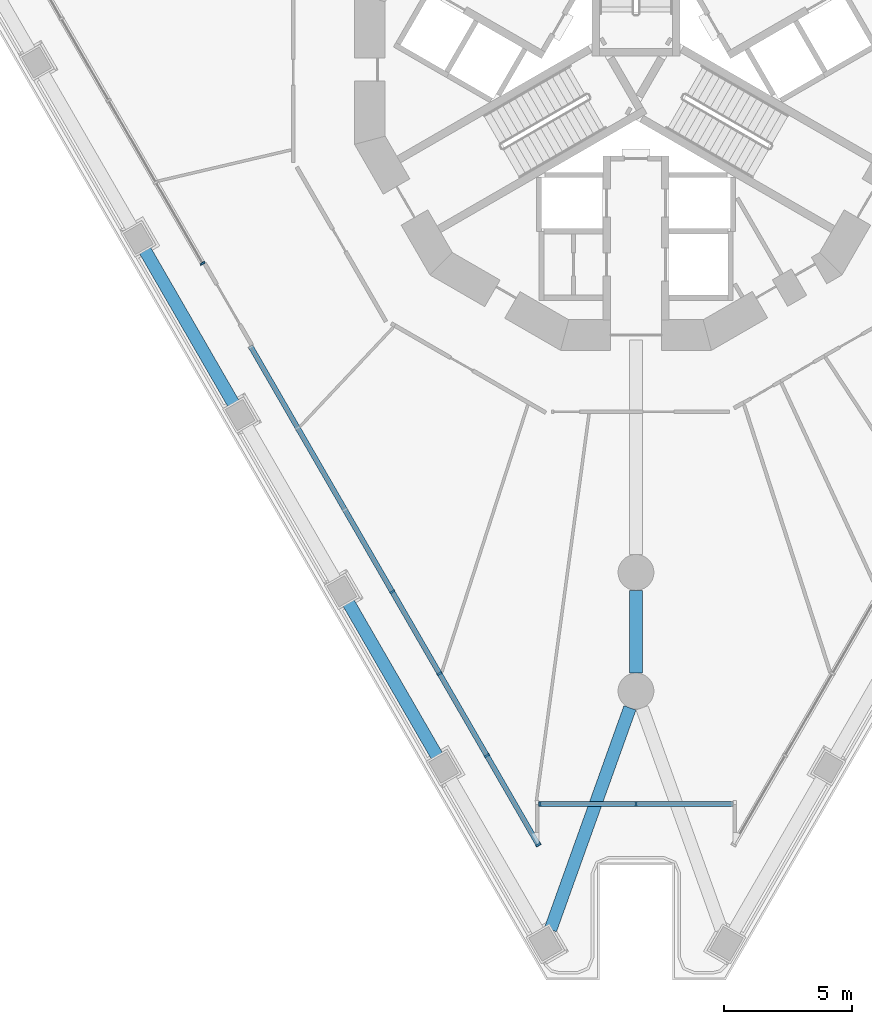
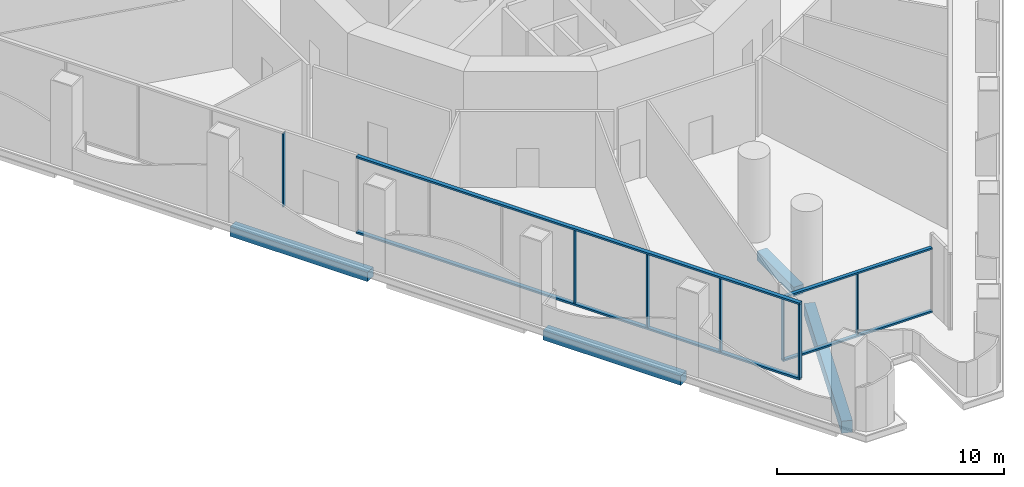
# One storey, part 2 of 21: 11 members, 4 beams, 3 elements without a shape of their own.
"""IFC4 building model written with IfcOpenShell, lengths in metres."""

from ifc_helpers import new_model, si_unit, direction, frame, origin, origin_2d, place, context, subcontext, project, spatial, rectangle, extrude, material, layer, layer_set, material_profile, profile_set, type_object, element, aggregate, save


model = new_model("IFC4")

# Units and contexts
model_context = context("Model", 3, precision=1e-05, world=origin(), true_north=direction((0.0, 1.0)))
body_context = subcontext(model_context, "Body", "Model", "MODEL_VIEW")
ifc_project = project(units=[si_unit("LENGTHUNIT", "METRE"), si_unit("AREAUNIT", "SQUARE_METRE"), si_unit("VOLUMEUNIT", "CUBIC_METRE"), si_unit("PLANEANGLEUNIT", "RADIAN"), si_unit("MASSUNIT", "GRAM", prefix="KILO")], contexts=[model_context])

# Site, building, storey
site_placement = place(None, origin())
site = spatial("IfcSite", under=ifc_project, at=site_placement, CompositionType="ELEMENT")
building_placement = place(site_placement, origin())
building = spatial("IfcBuilding", under=site, at=building_placement, Name="Trine Commons Tower", CompositionType="ELEMENT")
storey_placement = place(building_placement, frame((0.0, 0.0, 9.0)))
storey = spatial("IfcBuildingStorey", under=building, at=storey_placement, Name="L01", CompositionType="ELEMENT", Elevation=9.0)

# Curtain wall, members
ifc_material_1 = material(Name="Corner pocket glazing: anodised aluminium frame with low-emissivity double glazed unit, laminated", Category="aluminium")
ifc_layer_1 = layer(ifc_material_1, 0.179931640625)
ifc_layer_set_1 = layer_set([ifc_layer_1], Name="Corner pocket glazing: anodised aluminium frame with low-emissivity double glazed unit, laminated")
curtain_wall_type_1 = type_object("IfcCurtainWallType", Name="Corner pocket glazing curtain wall CW8", PredefinedType="NOTDEFINED", material=ifc_layer_set_1)
curtain_wall_1_placement = place(storey_placement, origin())
curtain_wall_1 = element("IfcCurtainWall", 1, at=curtain_wall_1_placement, inside=storey, type_object=curtain_wall_type_1, Name="Corner pocket glazing L01 P3.1", PredefinedType="NOTDEFINED")
ifc_material_2 = material(Name="Anodised aluminium, bronze finish", Category="aluminium")
ifc_material_profile_1 = material_profile(ifc_material_2, rectangle(XDim=0.179931640625, YDim=0.06494140625, at=origin_2d()), Name="Mullion 65x180")
ifc_profile_set_1 = profile_set([ifc_material_profile_1], Name="Anodised aluminium, bronze finish")
member_type_1 = type_object("IfcMemberType", Name="Mullion 65x180, Anodised aluminium, bronze finish", PredefinedType="MULLION", material=ifc_profile_set_1)
member_1_placement = place(storey_placement, frame((80.0, 33.74072265625, 0.090087890625), z_axis=(0.0, 0.0, 1.0), x_axis=(0.0, -1.0, 0.0)))
member_1 = element("IfcMember", 2, at=member_1_placement, type_object=member_type_1, Name="CW8 mullion 2.1", PredefinedType="MULLION", context=body_context, shape_type="SweptSolid", body=[
    extrude(rectangle(XDim=0.179931640625, YDim=0.06494140625, at=origin_2d()), origin(), (0.0, 0.0, 1.0), 3.2998046875),
])
member_2_placement = place(storey_placement, frame((76.232421875, 33.74072265625, 0.090087890625), z_axis=(0.0, 0.0, 1.0), x_axis=(0.0, -1.0, 0.0)))
member_2 = element("IfcMember", 3, at=member_2_placement, type_object=member_type_1, Name="CW8 mullion 3.1", PredefinedType="MULLION", context=body_context, shape_type="SweptSolid", body=[
    extrude(rectangle(XDim=0.179931640625, YDim=0.06494140625, at=origin_2d()), origin(), (0.0, 0.0, 1.0), 3.2998046875),
])

ifc_material_3 = material(Name="Podium glazing: anodised aluminium frame with low-emissivity double glazed unit", Category="aluminium")
ifc_layer_2 = layer(ifc_material_3, 0.199951171875)
ifc_layer_set_2 = layer_set([ifc_layer_2], Name="Podium glazing: anodised aluminium frame with low-emissivity double glazed unit")
curtain_wall_type_2 = type_object("IfcCurtainWallType", Name="Podium glazing curtain wall CW3", PredefinedType="NOTDEFINED", material=ifc_layer_set_2)
curtain_wall_2_placement = place(storey_placement, origin())
curtain_wall_2 = element("IfcCurtainWall", 4, at=curtain_wall_2_placement, inside=storey, type_object=curtain_wall_type_2, Name="Podium glazing L01 F3.1", PredefinedType="NOTDEFINED")
ifc_material_profile_2 = material_profile(ifc_material_2, rectangle(XDim=0.199951171875, YDim=0.074951171875, at=origin_2d()), Name="Mullion 75x200")
ifc_profile_set_2 = profile_set([ifc_material_profile_2], Name="Anodised aluminium, bronze finish")
member_type_2 = type_object("IfcMemberType", Name="Mullion 75x200, Anodised aluminium, bronze finish", PredefinedType="MULLION", material=ifc_profile_set_2)
member_3_placement = place(storey_placement, frame((76.18115234375, 32.14501953125, 0.10009765625), z_axis=(0.0, 0.0, 1.0), x_axis=(-0.866025403784, -0.5, 0.0)))
member_3 = element("IfcMember", 5, at=member_3_placement, type_object=member_type_2, Name="CW3 mullion 1.1", PredefinedType="MULLION", context=body_context, shape_type="SweptSolid", body=[
    extrude(rectangle(XDim=0.199951171875, YDim=0.074951171875, at=origin_2d()), origin(), (0.0, 0.0, 1.0), 3.949951171875),
])
member_4_placement = place(storey_placement, frame((74.163818359375, 35.63916015625, 0.10009765625), z_axis=(0.0, 0.0, 1.0), x_axis=(-0.866025403784, -0.5, 0.0)))
member_4 = element("IfcMember", 6, at=member_4_placement, type_object=member_type_2, Name="CW3 mullion 2.1", PredefinedType="MULLION", context=body_context, shape_type="SweptSolid", body=[
    extrude(rectangle(XDim=0.199951171875, YDim=0.074951171875, at=origin_2d()), origin(), (0.0, 0.0, 1.0), 3.949951171875),
])
member_5_placement = place(storey_placement, frame((72.314453125, 38.842529296875, 0.10009765625), z_axis=(0.0, 0.0, 1.0), x_axis=(-0.866025403784, -0.5, 0.0)))
member_5 = element("IfcMember", 7, at=member_5_placement, type_object=member_type_2, Name="CW3 mullion 3.1", PredefinedType="MULLION", context=body_context, shape_type="SweptSolid", body=[
    extrude(rectangle(XDim=0.199951171875, YDim=0.074951171875, at=origin_2d()), origin(), (0.0, 0.0, 1.0), 3.949951171875),
])
member_6_placement = place(storey_placement, frame((70.465087890625, 42.0458984375, 0.10009765625), z_axis=(0.0, 0.0, 1.0), x_axis=(-0.866025403784, -0.5, 0.0)))
member_6 = element("IfcMember", 8, at=member_6_placement, type_object=member_type_2, Name="CW3 mullion 4.1", PredefinedType="MULLION", context=body_context, shape_type="SweptSolid", body=[
    extrude(rectangle(XDim=0.199951171875, YDim=0.074951171875, at=origin_2d()), origin(), (0.0, 0.0, 1.0), 3.949951171875),
])

# Curtain wall, member
curtain_wall_3_placement = place(storey_placement, origin())
curtain_wall_3 = element("IfcCurtainWall", 9, at=curtain_wall_3_placement, inside=storey, type_object=curtain_wall_type_2, Name="Podium glazing L01 F3.2", PredefinedType="NOTDEFINED")
member_7_placement = place(storey_placement, frame((63.048583984375, 54.8916015625, 0.10009765625), z_axis=(0.0, 0.0, 1.0), x_axis=(-0.866025403784, -0.5, 0.0)))
member_7 = element("IfcMember", 10, at=member_7_placement, type_object=member_type_2, Name="CW3 mullion 1.1", PredefinedType="MULLION", context=body_context, shape_type="SweptSolid", body=[
    extrude(rectangle(XDim=0.199951171875, YDim=0.074951171875, at=origin_2d()), origin(), (0.0, 0.0, 1.0), 3.949951171875),
])
aggregate(curtain_wall_3, [member_7])

# Beams
ifc_material_4 = material(Name="Concrete C50/60", Category="concrete")
ifc_material_profile_3 = material_profile(ifc_material_4, rectangle(XDim=0.5, YDim=0.5, at=origin_2d()), Name="RC 500x500")
ifc_profile_set_3 = profile_set([ifc_material_profile_3], Name="Concrete C50/60")
beam_type_1 = type_object("IfcBeamType", Name="RC beam 500x500, C50/60", PredefinedType="BEAM", material=ifc_profile_set_3)
beam_1_placement = place(storey_placement, frame((72.236328125, 35.577880859375, -0.64990234375), z_axis=(-0.500017753321, 0.866015153657, 0.0), x_axis=(-0.866015153657, -0.500017753321, 0.0)))
element("IfcBeam", 11, at=beam_1_placement, inside=storey, type_object=beam_type_1, Name="Beam EB1-02 L01", PredefinedType="BEAM", context=body_context, shape_type="SweptSolid", body=[
    extrude(rectangle(XDim=0.5, YDim=0.5, at=origin_2d()), origin(), (0.0, 0.0, 1.0), 7.013427734375),
])
beam_2_placement = place(storey_placement, frame((64.27294921875, 49.370849609375, -0.64990234375), z_axis=(-0.499991645397, 0.866030227263, 0.0), x_axis=(-0.866030227263, -0.499991645397, 0.0)))
element("IfcBeam", 12, at=beam_2_placement, inside=storey, type_object=beam_type_1, Name="Beam EB1-04 L01", PredefinedType="BEAM", context=body_context, shape_type="SweptSolid", body=[
    extrude(rectangle(XDim=0.5, YDim=0.5, at=origin_2d()), origin(), (0.0, 0.0, 1.0), 7.01318359375),
])
beam_3_placement = place(storey_placement, frame((80.0, 42.102783203125, -0.64990234375), z_axis=(0.0, -1.0, 0.0), x_axis=(1.0, 0.0, 0.0)))
element("IfcBeam", 13, at=beam_3_placement, inside=storey, type_object=beam_type_1, Name="Beam RB1-02 L01", PredefinedType="BEAM", context=body_context, shape_type="SweptSolid", body=[
    extrude(rectangle(XDim=0.5, YDim=0.5, at=origin_2d()), origin(), (0.0, 0.0, 1.0), 3.240478515625),
])
ifc_material_profile_4 = material_profile(ifc_material_4, rectangle(XDim=0.5, YDim=0.64990234375, at=origin_2d()), Name="RC 500x650")
ifc_profile_set_4 = profile_set([ifc_material_profile_4], Name="Concrete C50/60")
beam_type_2 = type_object("IfcBeamType", Name="RC beam 500x650, C50/60", PredefinedType="BEAM", material=ifc_profile_set_4)
beam_4_placement = place(storey_placement, frame((76.654541015625, 28.8251953125, -0.72509765625), z_axis=(0.337305880684, 0.941395104542, 0.0), x_axis=(-0.941395104542, 0.337305880684, 0.0)))
element("IfcBeam", 14, at=beam_4_placement, inside=storey, type_object=beam_type_2, Name="Beam CB1-06 L01", PredefinedType="BEAM", context=body_context, shape_type="SweptSolid", body=[
    extrude(rectangle(XDim=0.5, YDim=0.64990234375, at=origin_2d()), origin(), (0.0, 0.0, 1.0), 9.218994140625),
])

# Member
ifc_material_profile_5 = material_profile(ifc_material_2, rectangle(XDim=0.199951171875, YDim=0.10009765625, at=origin_2d()), Name="Transom 100x200")
ifc_profile_set_5 = profile_set([ifc_material_profile_5], Name="Anodised aluminium, bronze finish")
member_type_3 = type_object("IfcMemberType", Name="Transom 100x200, Anodised aluminium, bronze finish", PredefinedType="USERDEFINED", material=ifc_profile_set_5)
member_8_placement = place(storey_placement, frame((76.199951171875, 32.112548828125, 0.050048828125), z_axis=(-0.499997470867, 0.866026863975, 0.0), x_axis=(-0.866026863975, -0.499997470867, 0.0)))
member_8 = element("IfcMember", 15, at=member_8_placement, type_object=member_type_3, Name="CW3 transom T00", ObjectType="TRANSOM", PredefinedType="USERDEFINED", context=body_context, shape_type="SweptSolid", body=[
    extrude(rectangle(XDim=0.199951171875, YDim=0.10009765625, at=origin_2d()), origin(), (0.0, 0.0, 1.0), 22.56640625),
])

member_9_placement = place(storey_placement, frame((76.199951171875, 32.112548828125, 4.10009765625), z_axis=(-0.499997470867, 0.866026863975, 0.0), x_axis=(-0.866026863975, -0.499997470867, 0.0)))
member_9 = element("IfcMember", 16, at=member_9_placement, type_object=member_type_3, Name="CW3 transom TH00", ObjectType="TRANSOM", PredefinedType="USERDEFINED", context=body_context, shape_type="SweptSolid", body=[
    extrude(rectangle(XDim=0.199951171875, YDim=0.10009765625, at=origin_2d()), origin(), (0.0, 0.0, 1.0), 22.56640625),
])

aggregate(curtain_wall_2, [member_8, member_9, member_3, member_4, member_5, member_6])

ifc_material_profile_6 = material_profile(ifc_material_2, rectangle(XDim=0.179931640625, YDim=0.090087890625, at=origin_2d()), Name="Transom 90x180")
ifc_profile_set_6 = profile_set([ifc_material_profile_6], Name="Anodised aluminium, bronze finish")
member_type_4 = type_object("IfcMemberType", Name="Transom 90x180, Anodised aluminium, bronze finish", PredefinedType="USERDEFINED", material=ifc_profile_set_6)
member_10_placement = place(storey_placement, frame((83.800048828125, 33.74072265625, 0.044921875), z_axis=(-1.0, 0.0, 0.0), x_axis=(0.0, -1.0, 0.0)))
member_10 = element("IfcMember", 17, at=member_10_placement, type_object=member_type_4, Name="CW8 transom T00", ObjectType="TRANSOM", PredefinedType="USERDEFINED", context=body_context, shape_type="SweptSolid", body=[
    extrude(rectangle(XDim=0.179931640625, YDim=0.090087890625, at=origin_2d()), origin(), (0.0, 0.0, 1.0), 7.60009765625),
])

member_11_placement = place(storey_placement, frame((83.800048828125, 33.74072265625, 3.43505859375), z_axis=(-1.0, 0.0, 0.0), x_axis=(0.0, -1.0, 0.0)))
member_11 = element("IfcMember", 18, at=member_11_placement, type_object=member_type_4, Name="CW8 transom TH00", ObjectType="TRANSOM", PredefinedType="USERDEFINED", context=body_context, shape_type="SweptSolid", body=[
    extrude(rectangle(XDim=0.179931640625, YDim=0.090087890625, at=origin_2d()), origin(), (0.0, 0.0, 1.0), 7.60009765625),
])

aggregate(curtain_wall_1, [member_10, member_11, member_1, member_2])

save(model, "model.ifc")
